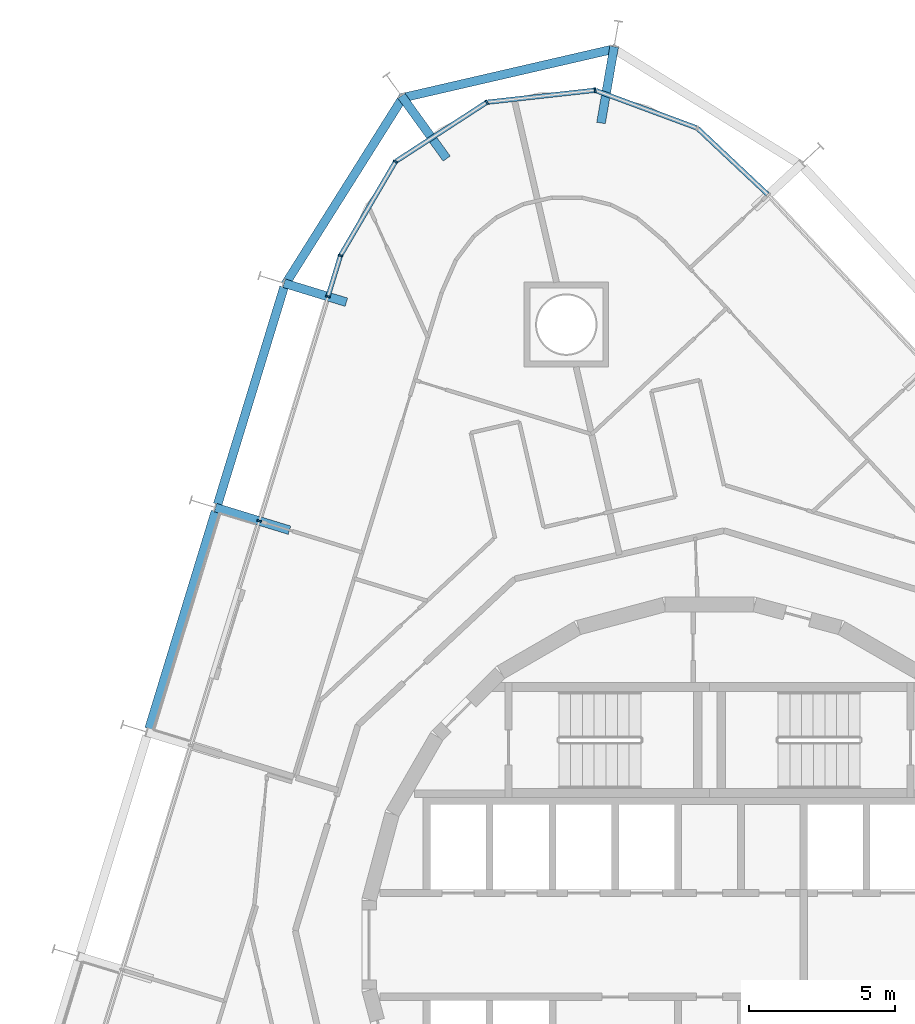
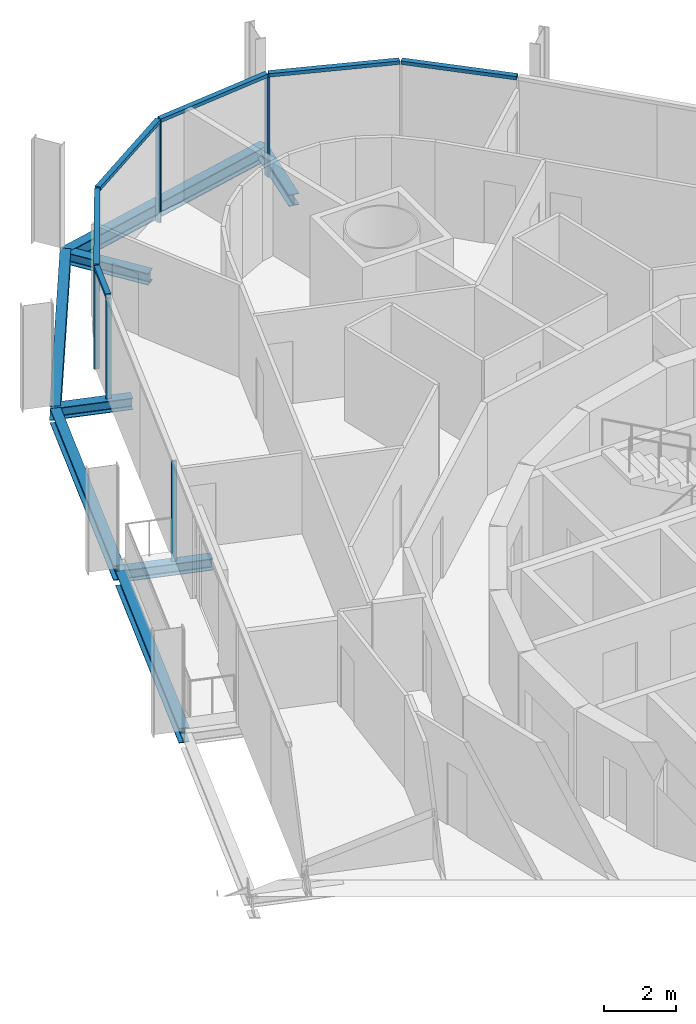
# One storey, part 7 of 18: 12 members, 8 beams, 2 elements without a shape of their own.
"""IFC4 building model written with IfcOpenShell, lengths in metres."""

from ifc_helpers import new_model, si_unit, direction, frame, origin, origin_2d, place, context, subcontext, project, spatial, rectangle, i_section, extrude, material, layer, layer_set, material_profile, profile_set, type_object, element, aggregate, save


model = new_model("IFC4")

# Units and contexts
model_context = context("Model", 3, precision=1e-05, world=origin(), true_north=direction((0.0, 1.0)))
body_context = subcontext(model_context, "Body", "Model", "MODEL_VIEW")
ifc_project = project(units=[si_unit("LENGTHUNIT", "METRE"), si_unit("AREAUNIT", "SQUARE_METRE"), si_unit("VOLUMEUNIT", "CUBIC_METRE"), si_unit("PLANEANGLEUNIT", "RADIAN"), si_unit("MASSUNIT", "GRAM", prefix="KILO")], contexts=[model_context])

# Site, building, storey
site_placement = place(None, origin())
site = spatial("IfcSite", under=ifc_project, at=site_placement, CompositionType="ELEMENT")
building_placement = place(site_placement, origin())
building = spatial("IfcBuilding", under=site, at=building_placement, Name="Spindle Arch Residences", CompositionType="ELEMENT")
storey_placement = place(building_placement, frame((0.0, 0.0, 116.89990234375)))
storey = spatial("IfcBuildingStorey", under=building, at=storey_placement, Name="L28", CompositionType="ELEMENT", Elevation=116.89990234375)

# Curtain wall, members
ifc_material_1 = material(Name="Aluminium bronze unitised frame with tinted glass", Category="aluminium")
ifc_layer_1 = layer(ifc_material_1, 0.159912109375)
ifc_layer_set_1 = layer_set([ifc_layer_1], Name="CW-D corner wall on the fillet arcs")
curtain_wall_type_1 = type_object("IfcCurtainWallType", Name="CW-D corner wall on the fillet arcs", PredefinedType="NOTDEFINED", material=ifc_layer_set_1)
curtain_wall_1_placement = place(storey_placement, origin())
curtain_wall_1 = element("IfcCurtainWall", 1, at=curtain_wall_1_placement, inside=storey, type_object=curtain_wall_type_1, Name="CW-D L28 run 3", PredefinedType="NOTDEFINED")
ifc_material_2 = material(Name="Aluminium bronze anodised mullion", Category="aluminium")
ifc_material_profile_1 = material_profile(ifc_material_2, rectangle(XDim=0.159912109375, YDim=0.06005859375, at=origin_2d()), Name="MU 60x160")
ifc_profile_set_1 = profile_set([ifc_material_profile_1], Name="Aluminium bronze anodised mullion")
member_type_1 = type_object("IfcMemberType", Name="Bronze mullion 60x160", PredefinedType="MULLION", material=ifc_profile_set_1)
member_1_placement = place(storey_placement, frame((-3.9150390625, 29.243408203125, -0.3798828125), z_axis=(0.0, 0.0, 1.0), x_axis=(0.110312556619, -0.993896946294, 0.0)))
member_1 = element("IfcMember", 2, at=member_1_placement, type_object=member_type_1, Name="CW-D mullion 02", PredefinedType="MULLION", context=body_context, shape_type="SweptSolid", body=[
    extrude(rectangle(XDim=0.159912109375, YDim=0.06005859375, at=origin_2d()), origin(), (0.0, 0.0, 1.0), 3.3798828125),
])
member_2_placement = place(storey_placement, frame((-7.619140625, 28.832275390625, -0.3798828125), z_axis=(0.0, 0.0, 1.0), x_axis=(0.544639035308, -0.838670567755, 0.0)))
member_2 = element("IfcMember", 3, at=member_2_placement, type_object=member_type_1, Name="CW-D mullion 03", PredefinedType="MULLION", context=body_context, shape_type="SweptSolid", body=[
    extrude(rectangle(XDim=0.159912109375, YDim=0.06005859375, at=origin_2d()), origin(), (0.0, 0.0, 1.0), 3.3798828125),
])
member_3_placement = place(storey_placement, frame((-10.74462890625, 26.802490234375, -0.3798828125), z_axis=(0.0, 0.0, 1.0), x_axis=(0.863101880723, -0.505029844161, 0.0)))
member_3 = element("IfcMember", 4, at=member_3_placement, type_object=member_type_1, Name="CW-D mullion 04", PredefinedType="MULLION", context=body_context, shape_type="SweptSolid", body=[
    extrude(rectangle(XDim=0.159912109375, YDim=0.06005859375, at=origin_2d()), origin(), (0.0, 0.0, 1.0), 3.3798828125),
])
member_4_placement = place(storey_placement, frame((-12.626708984375, 23.5859375, -0.3798828125), z_axis=(0.0, 0.0, 1.0), x_axis=(0.956304755963, -0.292371704723, 0.0)))
member_4 = element("IfcMember", 5, at=member_4_placement, type_object=member_type_1, Name="CW-D mullion 05", PredefinedType="MULLION", context=body_context, shape_type="SweptSolid", body=[
    extrude(rectangle(XDim=0.159912109375, YDim=0.06005859375, at=origin_2d()), origin(), (0.0, 0.0, 1.0), 3.3798828125),
])

ifc_material_3 = material(Name="Aluminium bronze unitised frame with tinted glass", Category="aluminium")
ifc_layer_2 = layer(ifc_material_3, 0.159912109375)
ifc_layer_set_2 = layer_set([ifc_layer_2], Name="CW-C typical residential unitised wall")
curtain_wall_type_2 = type_object("IfcCurtainWallType", Name="CW-C typical residential unitised wall", PredefinedType="NOTDEFINED", material=ifc_layer_set_2)
curtain_wall_2_placement = place(storey_placement, origin())
curtain_wall_2 = element("IfcCurtainWall", 6, at=curtain_wall_2_placement, inside=storey, type_object=curtain_wall_type_2, Name="CW-C L28 run 4", PredefinedType="NOTDEFINED")
member_5_placement = place(storey_placement, frame((-13.0556640625, 22.182861328125, -0.3798828125), z_axis=(0.0, 0.0, 1.0), x_axis=(0.956304755963, -0.292371704723, 0.0)))
member_5 = element("IfcMember", 7, at=member_5_placement, type_object=member_type_1, Name="CW-C mullion 12", PredefinedType="MULLION", context=body_context, shape_type="SweptSolid", body=[
    extrude(rectangle(XDim=0.159912109375, YDim=0.06005859375, at=origin_2d()), origin(), (0.0, 0.0, 1.0), 3.3798828125),
])
member_6_placement = place(storey_placement, frame((-15.4033203125, 14.504638671875, -0.3798828125), z_axis=(0.0, 0.0, 1.0), x_axis=(0.956304755963, -0.292371704723, 0.0)))
member_6 = element("IfcMember", 8, at=member_6_placement, type_object=member_type_1, Name="CW-C mullion 13", PredefinedType="MULLION", context=body_context, shape_type="SweptSolid", body=[
    extrude(rectangle(XDim=0.159912109375, YDim=0.06005859375, at=origin_2d()), origin(), (0.0, 0.0, 1.0), 3.3798828125),
])
aggregate(curtain_wall_2, [member_5, member_6])

# Member
ifc_material_4 = material(Name="Aluminium bronze anodised transom", Category="aluminium")
ifc_material_profile_2 = material_profile(ifc_material_4, rectangle(XDim=0.159912109375, YDim=0.1201171875, at=origin_2d()), Name="TR 120x160")
ifc_profile_set_2 = profile_set([ifc_material_profile_2], Name="Aluminium bronze anodised transom")
member_type_2 = type_object("IfcMemberType", Name="Bronze transom 120x160", PredefinedType="USERDEFINED", material=ifc_profile_set_2)
member_7_placement = place(storey_placement, frame((1.98828125, 25.681640625, 3.06005859375), z_axis=(-0.72826996669, 0.685290344027, 0.0), x_axis=(-0.685290344027, -0.72826996669, 0.0)))
member_7 = element("IfcMember", 9, at=member_7_placement, type_object=member_type_2, Name="CW-D transom 00", ObjectType="TRANSOM", PredefinedType="USERDEFINED", context=body_context, shape_type="SweptSolid", body=[
    extrude(rectangle(XDim=0.159912109375, YDim=0.1201171875, at=origin_2d()), origin(), (0.0, 0.0, 1.0), 3.277587890625),
])

member_8_placement = place(storey_placement, frame((-0.44873046875, 27.958740234375, 3.06005859375), z_axis=(-0.937682080581, 0.347494339172, 0.0), x_axis=(-0.347494339172, -0.937682080581, 0.0)))
member_8 = element("IfcMember", 10, at=member_8_placement, type_object=member_type_2, Name="CW-D transom 01", ObjectType="TRANSOM", PredefinedType="USERDEFINED", context=body_context, shape_type="SweptSolid", body=[
    extrude(rectangle(XDim=0.159912109375, YDim=0.1201171875, at=origin_2d()), origin(), (0.0, 0.0, 1.0), 3.666748046875),
])

member_9_placement = place(storey_placement, frame((-3.945068359375, 29.239990234375, 3.06005859375), z_axis=(-0.993895097359, -0.110329213929, 0.0), x_axis=(0.110329213929, -0.993895097359, 0.0)))
member_9 = element("IfcMember", 11, at=member_9_placement, type_object=member_type_2, Name="CW-D transom 02", ObjectType="TRANSOM", PredefinedType="USERDEFINED", context=body_context, shape_type="SweptSolid", body=[
    extrude(rectangle(XDim=0.159912109375, YDim=0.1201171875, at=origin_2d()), origin(), (0.0, 0.0, 1.0), 3.666748046875),
])

member_10_placement = place(storey_placement, frame((-7.644287109375, 28.81591796875, 3.06005859375), z_axis=(-0.838668683676, -0.544641936525, 0.0), x_axis=(0.544641936525, -0.838668683676, 0.0)))
member_10 = element("IfcMember", 12, at=member_10_placement, type_object=member_type_2, Name="CW-D transom 03", ObjectType="TRANSOM", PredefinedType="USERDEFINED", context=body_context, shape_type="SweptSolid", body=[
    extrude(rectangle(XDim=0.159912109375, YDim=0.1201171875, at=origin_2d()), origin(), (0.0, 0.0, 1.0), 3.666748046875),
])

member_11_placement = place(storey_placement, frame((-10.759765625, 26.776611328125, 3.06005859375), z_axis=(-0.505025585574, -0.86310437255, 0.0), x_axis=(0.86310437255, -0.505025585574, 0.0)))
member_11 = element("IfcMember", 13, at=member_11_placement, type_object=member_type_2, Name="CW-D transom 04", ObjectType="TRANSOM", PredefinedType="USERDEFINED", context=body_context, shape_type="SweptSolid", body=[
    extrude(rectangle(XDim=0.159912109375, YDim=0.1201171875, at=origin_2d()), origin(), (0.0, 0.0, 1.0), 3.666748046875),
])

member_12_placement = place(storey_placement, frame((-12.635498046875, 23.55712890625, 3.06005859375), z_axis=(-0.292390464398, -0.956299020354, 0.0), x_axis=(0.956299020354, -0.292390464398, 0.0)))
member_12 = element("IfcMember", 14, at=member_12_placement, type_object=member_type_2, Name="CW-D transom 05", ObjectType="TRANSOM", PredefinedType="USERDEFINED", context=body_context, shape_type="SweptSolid", body=[
    extrude(rectangle(XDim=0.159912109375, YDim=0.1201171875, at=origin_2d()), origin(), (0.0, 0.0, 1.0), 1.406982421875),
])

aggregate(curtain_wall_1, [member_7, member_8, member_1, member_9, member_2, member_10, member_3, member_11, member_4, member_12])

# Beams
ifc_material_5 = material(Name="Steel S460ML, intumescent coating R 120", Category="steel")
ifc_material_profile_3 = material_profile(ifc_material_5, i_section(OverallWidth=0.300048828125, OverallDepth=0.5, WebThickness=0.014404296875, FlangeThickness=0.028076171875, FilletRadius=0.027099609375, at=origin_2d()), Name="HEB 500")
ifc_profile_set_3 = profile_set([ifc_material_profile_3], Name="Steel S460ML, intumescent coating R 120")
beam_type_1 = type_object("IfcBeamType", Name="Exoskeleton edge beam HEB 500", PredefinedType="BEAM", material=ifc_profile_set_3)
beam_1_placement = place(storey_placement, frame((-3.20166015625, 30.670166015625, -0.6298828125), z_axis=(-0.974372141151, -0.224942060428, 0.0), x_axis=(0.224942060428, -0.974372141151, 0.0)))
element("IfcBeam", 15, at=beam_1_placement, inside=storey, type_object=beam_type_1, Name="Exoskeleton edge beam 11", PredefinedType="BEAM", context=body_context, shape_type="SweptSolid", body=[
    extrude(i_section(OverallWidth=0.300048828125, OverallDepth=0.5, WebThickness=0.014404296875, FlangeThickness=0.028076171875, FilletRadius=0.027099609375, at=origin_2d()), origin(), (0.0, 0.0, 1.0), 7.5595703125),
])
beam_2_placement = place(storey_placement, frame((-10.47509765625, 29.022705078125, -0.6298828125), z_axis=(-0.532774034173, -0.846257542661, 0.0), x_axis=(0.846257542661, -0.532774034173, 0.0)))
element("IfcBeam", 16, at=beam_2_placement, inside=storey, type_object=beam_type_1, Name="Exoskeleton edge beam 12", PredefinedType="BEAM", context=body_context, shape_type="SweptSolid", body=[
    extrude(i_section(OverallWidth=0.300048828125, OverallDepth=0.5, WebThickness=0.014404296875, FlangeThickness=0.028076171875, FilletRadius=0.027099609375, at=origin_2d()), origin(), (0.0, 0.0, 1.0), 7.591796875),
])
for number, where, z_axis, x_axis, name in (
    (17, (-14.556884765625, 22.505859375, -0.6298828125), (-0.292380603236, -0.956302035369, 0.0), (0.956302035369, -0.292380603236, 0.0), "Exoskeleton edge beam 13"),
    (18, (-16.904296875, 14.82763671875, -0.6298828125), (-0.292371816855, -0.956304721681, 0.0), (0.956304721681, -0.292371816855, 0.0), "Exoskeleton edge beam 14"),
):
    element("IfcBeam", number, at=place(storey_placement, frame(where, z_axis=z_axis, x_axis=x_axis)), inside=storey, type_object=beam_type_1, Name=name, PredefinedType="BEAM", context=body_context, shape_type="SweptSolid", body=[
        extrude(i_section(OverallWidth=0.300048828125, OverallDepth=0.5, WebThickness=0.014404296875, FlangeThickness=0.028076171875, FilletRadius=0.027099609375, at=origin_2d()), origin(), (0.0, 0.0, 1.0), 7.76904296875),
    ])
ifc_material_6 = material(Name="Steel S460ML, intumescent coating R 120", Category="steel")
ifc_material_profile_4 = material_profile(ifc_material_6, i_section(OverallWidth=0.300048828125, OverallDepth=0.389892578125, WebThickness=0.010986328125, FlangeThickness=0.01904296875, FilletRadius=0.027099609375, at=origin_2d()), Name="HEA 400")
ifc_profile_set_4 = profile_set([ifc_material_profile_4], Name="Steel S460ML, intumescent coating R 120")
beam_type_2 = type_object("IfcBeamType", Name="Floor outrigger HEA 400", PredefinedType="BEAM", material=ifc_profile_set_4)
for number, where, z_axis, x_axis, name in (
    (19, (-3.26171875, 30.7333984375, -0.574951171875), (-0.169700209351, -0.985495732587, 0.0), (0.985495732587, -0.169700209351, 0.0), "Floor outrigger 11"),
    (20, (-10.541015625, 29.052734375, -0.574951171875), (0.584588663969, -0.811329830561, 0.0), (0.811329830561, 0.584588663969, 0.0), "Floor outrigger 12"),
):
    element("IfcBeam", number, at=place(storey_placement, frame(where, z_axis=z_axis, x_axis=x_axis)), inside=storey, type_object=beam_type_2, Name=name, PredefinedType="BEAM", context=body_context, shape_type="SweptSolid", body=[
        extrude(i_section(OverallWidth=0.300048828125, OverallDepth=0.389892578125, WebThickness=0.010986328125, FlangeThickness=0.01904296875, FilletRadius=0.027099609375, at=origin_2d()), origin(), (0.0, 0.0, 1.0), 2.64990234375),
    ])
beam_3_placement = place(storey_placement, frame((-14.55712890625, 22.641845703125, -0.574951171875), z_axis=(0.956331173438, -0.292285283091, 0.0), x_axis=(0.292285283091, 0.956331173438, 0.0)))
element("IfcBeam", 21, at=beam_3_placement, inside=storey, type_object=beam_type_2, Name="Floor outrigger 13", PredefinedType="BEAM", context=body_context, shape_type="SweptSolid", body=[
    extrude(i_section(OverallWidth=0.300048828125, OverallDepth=0.389892578125, WebThickness=0.010986328125, FlangeThickness=0.01904296875, FilletRadius=0.027099609375, at=origin_2d()), origin(), (0.0, 0.0, 1.0), 2.230224609375),
])
beam_4_placement = place(storey_placement, frame((-16.904541015625, 14.963623046875, -0.574951171875), z_axis=(0.956291475666, -0.292415139091, 0.0), x_axis=(0.292415139091, 0.956291475666, 0.0)))
element("IfcBeam", 22, at=beam_4_placement, inside=storey, type_object=beam_type_2, Name="Floor outrigger 14", PredefinedType="BEAM", context=body_context, shape_type="SweptSolid", body=[
    extrude(i_section(OverallWidth=0.300048828125, OverallDepth=0.389892578125, WebThickness=0.010986328125, FlangeThickness=0.01904296875, FilletRadius=0.027099609375, at=origin_2d()), origin(), (0.0, 0.0, 1.0), 2.64990234375),
])

save(model, "model.ifc")
